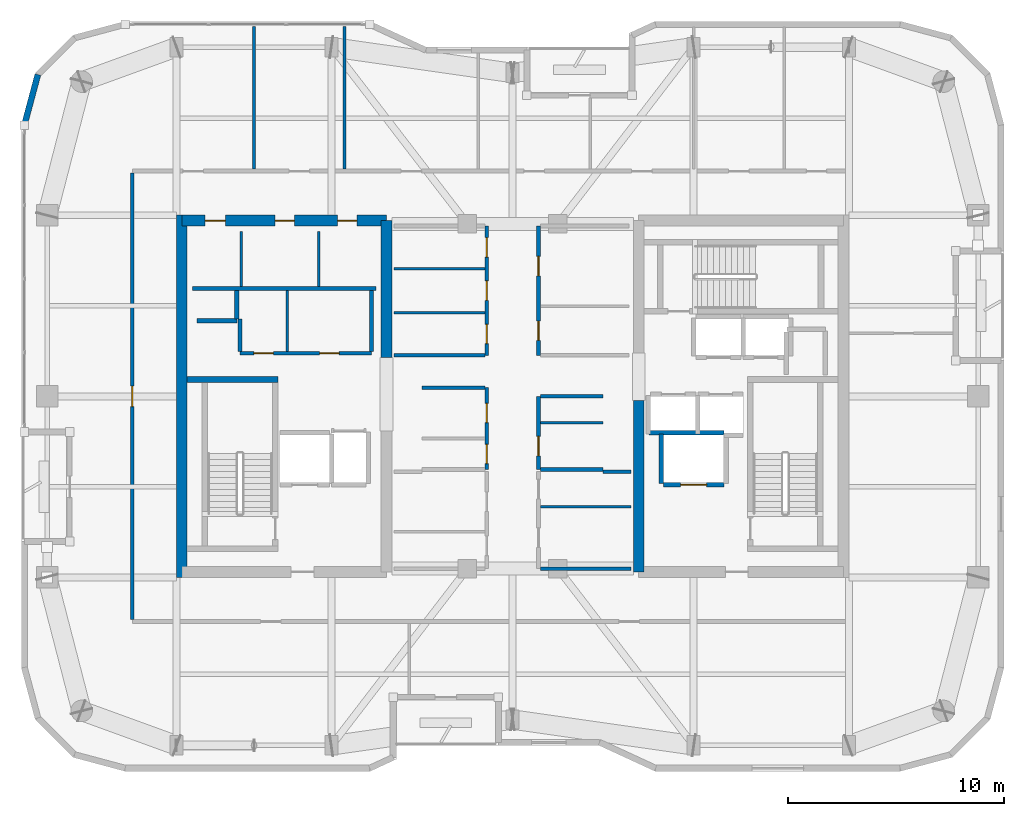
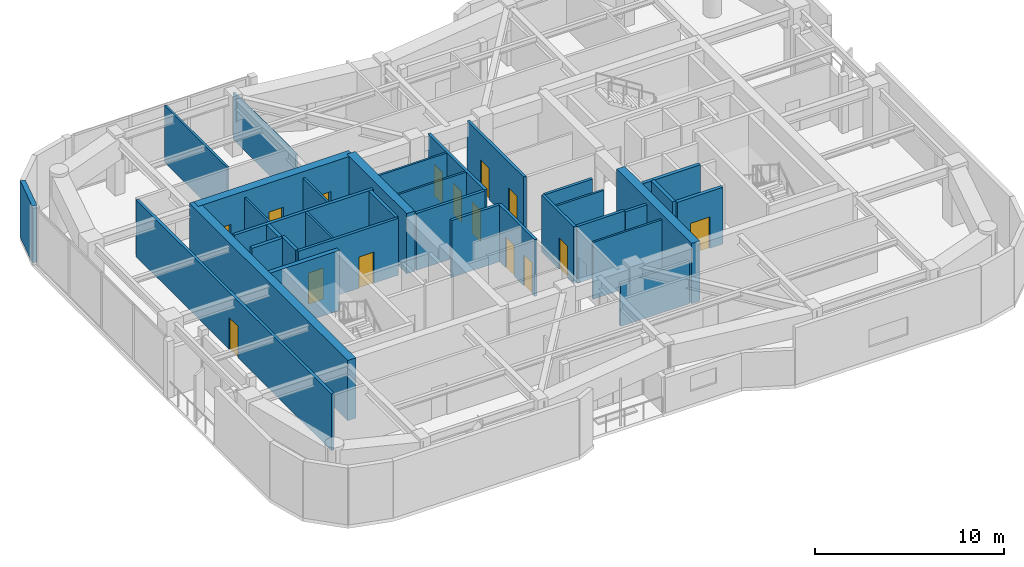
# One storey, part 11 of 15: 35 walls, 15 doors, 15 openings.
"""IFC4 building model written with IfcOpenShell, lengths in metres."""

from ifc_helpers import new_model, si_unit, direction, frame, frame_2d, origin, place, context, subcontext, project, spatial, rectangle, extrude, material, layer, layer_set, type_object, element, fill, save


model = new_model("IFC4")

# Units and contexts
model_context = context("Model", 3, precision=1e-05, world=origin(), true_north=direction((0.0, 1.0)))
body_context = subcontext(model_context, "Body", "Model", "MODEL_VIEW")
ifc_project = project(units=[si_unit("LENGTHUNIT", "METRE"), si_unit("AREAUNIT", "SQUARE_METRE"), si_unit("VOLUMEUNIT", "CUBIC_METRE"), si_unit("PLANEANGLEUNIT", "RADIAN"), si_unit("MASSUNIT", "GRAM", prefix="KILO")], contexts=[model_context])

# Site, building, storey
site_placement = place(None, origin())
site = spatial("IfcSite", under=ifc_project, at=site_placement, CompositionType="ELEMENT")
building_placement = place(site_placement, origin())
building = spatial("IfcBuilding", under=site, at=building_placement, Name="Kiyonajd Concourse Tower", CompositionType="ELEMENT")
storey_placement = place(building_placement, frame((0.0, 0.0, 270.60009765625)))
storey = spatial("IfcBuildingStorey", under=building, at=storey_placement, Name="L68", CompositionType="ELEMENT", Elevation=270.60009765625)

# Walls
ifc_material_1 = material(Name="Concrete C60/75", Category="concrete")
ifc_layer_1 = layer(ifc_material_1, 0.5)
ifc_layer_set_1 = layer_set([ifc_layer_1], Name="Concrete C60/75")
wall_type_1 = type_object("IfcWallType", Name="WL-CORE-500", PredefinedType="SHEAR", material=ifc_layer_set_1)
wall_1_placement = place(storey_placement, frame((32.64990234375, 27.60009765625, 0.0), z_axis=(0.0, 0.0, 1.0), x_axis=(0.0, 1.0, 0.0)))
element("IfcWall", 1, at=wall_1_placement, inside=storey, type_object=wall_type_1, Name="L68 West Core Outer Shear Wall", PredefinedType="SHEAR", context=body_context, shape_type="SweptSolid", body=[
    extrude(rectangle(XDim=16.7998046875, YDim=0.5, at=frame_2d((8.39990234375, 0.0))), origin(), (0.0, 0.0, 1.0), 3.89990234375),
])
wall_2_placement = place(storey_placement, frame((42.14990234375, 37.800048828125, 0.0), z_axis=(0.0, 0.0, 1.0), x_axis=(0.0, 1.0, 0.0)))
element("IfcWall", 2, at=wall_2_placement, inside=storey, type_object=wall_type_1, Name="L68 West Core Inner North Shear Wall", PredefinedType="SHEAR", context=body_context, shape_type="SweptSolid", body=[
    extrude(rectangle(XDim=6.349853515625, YDim=0.5, at=frame_2d((3.1748046875, 0.0))), origin(), (0.0, 0.0, 1.0), 3.89990234375),
])

# Wall, openings, doors
wall_3_placement = place(storey_placement, frame((32.64990234375, 44.14990234375, 0.0), z_axis=(0.0, 0.0, 1.0), x_axis=(1.0, 0.0, 0.0)))
wall_3 = element("IfcWall", 3, at=wall_3_placement, inside=storey, type_object=wall_type_1, Name="L68 West Core North Shear Wall", PredefinedType="SHEAR", context=body_context, shape_type="SweptSolid", body=[
    extrude(rectangle(XDim=9.5, YDim=0.5, at=frame_2d((4.75, 0.0))), origin(), (0.0, 0.0, 1.0), 3.89990234375),
])
opening_1_placement = place(wall_3_placement, frame((1.074951171875, 0.0, 0.0)))
opening_1 = element("IfcOpeningElement", 4, at=opening_1_placement, cuts=wall_3, Name="Opening DI1", PredefinedType="OPENING", context=body_context, shape_type="SweptSolid", body=[
    extrude(rectangle(XDim=0.949951171875, YDim=2.0400390625, at=frame_2d((0.47509765625, 1.02001953125))), frame((0.0, 0.260009765625, 0.0), z_axis=(0.0, -1.0, 0.0), x_axis=(1.0, 0.0, 0.0)), (0.0, 0.0, 1.0), 0.52001953125),
])
opening_2_placement = place(wall_3_placement, frame((4.324951171875, 0.0, 0.0)))
opening_2 = element("IfcOpeningElement", 5, at=opening_2_placement, cuts=wall_3, Name="Opening DI2", PredefinedType="OPENING", context=body_context, shape_type="SweptSolid", body=[
    extrude(rectangle(XDim=0.89990234375, YDim=2.02001953125, at=frame_2d((0.449951171875, 1.010009765625))), frame((0.0, 0.260009765625, 0.0), z_axis=(0.0, -1.0, 0.0), x_axis=(1.0, 0.0, 0.0)), (0.0, 0.0, 1.0), 0.52001953125),
])
opening_3_placement = place(wall_3_placement, frame((7.22509765625, 0.0, 0.0)))
opening_3 = element("IfcOpeningElement", 6, at=opening_3_placement, cuts=wall_3, Name="Opening DI2", PredefinedType="OPENING", context=body_context, shape_type="SweptSolid", body=[
    extrude(rectangle(XDim=0.89990234375, YDim=2.02001953125, at=frame_2d((0.449951171875, 1.010009765625))), frame((0.0, 0.260009765625, 0.0), z_axis=(0.0, -1.0, 0.0), x_axis=(1.0, 0.0, 0.0)), (0.0, 0.0, 1.0), 0.52001953125),
])
ifc_material_2 = material(Name="Natural Oak Acoustic Timber Veneer", Category="wood")
door_type_1 = type_object("IfcDoorType", Name="DR-INT-900", OperationType="NOTDEFINED", PredefinedType="DOOR", material=ifc_material_2)
door_1_placement = place(opening_2_placement, origin())
door_1 = element("IfcDoor", 7, at=door_1_placement, inside=storey, type_object=door_type_1, Name="L68 Male Restroom Door", OperationType="SINGLE_SWING_RIGHT", OverallHeight=2.02001953125, OverallWidth=0.89990234375, PredefinedType="DOOR", context=body_context, shape_type="SweptSolid", body=[
    extrude(rectangle(XDim=0.89990234375, YDim=2.02001953125, at=frame_2d((0.449951171875, 1.010009765625))), frame((0.0, 0.02490234375, 0.0), z_axis=(0.0, -1.0, 0.0), x_axis=(1.0, 0.0, 0.0)), (0.0, 0.0, 1.0), 0.050048828125),
])
fill(opening_2, door_1)
door_2_placement = place(opening_3_placement, origin())
door_2 = element("IfcDoor", 8, at=door_2_placement, inside=storey, type_object=door_type_1, Name="L68 Female Restroom Door", OperationType="SINGLE_SWING_LEFT", OverallHeight=2.02001953125, OverallWidth=0.89990234375, PredefinedType="DOOR", context=body_context, shape_type="SweptSolid", body=[
    extrude(rectangle(XDim=0.89990234375, YDim=2.02001953125, at=frame_2d((0.449951171875, 1.010009765625))), frame((0.0, 0.02490234375, 0.0), z_axis=(0.0, -1.0, 0.0), x_axis=(1.0, 0.0, 0.0)), (0.0, 0.0, 1.0), 0.050048828125),
])
fill(opening_3, door_2)
door_type_2 = type_object("IfcDoorType", Name="DR-INT-950", OperationType="NOTDEFINED", PredefinedType="DOOR", material=ifc_material_2)
door_3_placement = place(opening_1_placement, origin())
door_3 = element("IfcDoor", 9, at=door_3_placement, inside=storey, type_object=door_type_2, Name="L68 Single User Accessible WC Door", OperationType="SINGLE_SWING_LEFT", OverallHeight=2.0400390625, OverallWidth=0.949951171875, PredefinedType="DOOR", context=body_context, shape_type="SweptSolid", body=[
    extrude(rectangle(XDim=0.949951171875, YDim=2.0400390625, at=frame_2d((0.47509765625, 1.02001953125))), frame((0.0, 0.02490234375, 0.0), z_axis=(0.0, -1.0, 0.0), x_axis=(1.0, 0.0, 0.0)), (0.0, 0.0, 1.0), 0.050048828125),
])
fill(opening_1, door_3)

# Walls
wall_4_placement = place(storey_placement, frame((53.85009765625, 27.85009765625, 0.0), z_axis=(0.0, 0.0, 1.0), x_axis=(0.0, 1.0, 0.0)))
element("IfcWall", 10, at=wall_4_placement, inside=storey, type_object=wall_type_1, Name="L68 East Core Inner South Shear Wall", PredefinedType="SHEAR", context=body_context, shape_type="SweptSolid", body=[
    extrude(rectangle(XDim=7.949951171875, YDim=0.5, at=frame_2d((3.97509765625, 0.0))), origin(), (0.0, 0.0, 1.0), 3.89990234375),
])
ifc_material_3 = material(Name="Precast concrete C50/60", Category="concrete")
ifc_layer_2 = layer(ifc_material_3, 0.280029296875)
ifc_layer_set_2 = layer_set([ifc_layer_2], Name="Precast concrete C50/60")
wall_type_2 = type_object("IfcWallType", Name="WL-EXT-280", PredefinedType="SOLIDWALL", material=ifc_layer_set_2)
wall_5_placement = place(storey_placement, frame((25.340087890625, 48.58154296875, 0.0), z_axis=(0.0, 0.0, 1.0), x_axis=(0.258751159445, 0.965944013639, 0.0)))
element("IfcWall", 11, at=wall_5_placement, inside=storey, type_object=wall_type_2, Name="L68 Exterior Concrete Frame Wall 06", PredefinedType="SOLIDWALL", context=body_context, shape_type="SweptSolid", body=[
    extrude(rectangle(XDim=2.4287109375, YDim=0.280029296875, at=frame_2d((1.21435546875, 0.0))), origin(), (0.0, 0.0, 1.0), 3.679931640625),
])
ifc_material_4 = material(Name="Gypsum Board on Cold-Formed Steel Stud", Category="steel")
ifc_layer_3 = layer(ifc_material_4, 0.125)
ifc_layer_set_3 = layer_set([ifc_layer_3], Name="Gypsum Board on Cold-Formed Steel Stud")
wall_type_3 = type_object("IfcWallType", Name="WL-PART-125", PredefinedType="PARTITIONING", material=ifc_layer_set_3)
for number, where, z_axis, x_axis, name in (
    (12, (35.39990234375, 41.094970703125, 0.0), (0.0, 0.0, 1.0), (0.0, 1.0, 0.0), "L68 Interior Partition Wall"),
    (13, (39.0, 41.094970703125, 0.0), (0.0, 0.0, 1.0), (0.0, 1.0, 0.0), "L68 Interior Partition Wall"),
):
    element("IfcWall", number, at=place(storey_placement, frame(where, z_axis=z_axis, x_axis=x_axis)), inside=storey, type_object=wall_type_3, Name=name, PredefinedType="PARTITIONING", context=body_context, shape_type="SweptSolid", body=[
        extrude(rectangle(XDim=2.554931640625, YDim=0.125, at=frame_2d((1.27734375, 0.0))), origin(), (0.0, 0.0, 1.0), 3.679931640625),
    ])
wall_6_placement = place(storey_placement, frame((37.5458984375, 38.0869140625, 0.0), z_axis=(0.0, 0.0, 1.0), x_axis=(0.0, 1.0, 0.0)))
element("IfcWall", 14, at=wall_6_placement, inside=storey, type_object=wall_type_3, Name="L68 Interior Partition Wall", PredefinedType="PARTITIONING", context=body_context, shape_type="SweptSolid", body=[
    extrude(rectangle(XDim=2.81298828125, YDim=0.125, at=frame_2d((1.406494140625, 0.0))), origin(), (0.0, 0.0, 1.0), 3.679931640625),
])
wall_7_placement = place(storey_placement, frame((49.287109375, 34.77587890625, 0.0), z_axis=(0.0, 0.0, 1.0), x_axis=(1.0, 0.0, 0.0)))
element("IfcWall", 15, at=wall_7_placement, inside=storey, type_object=wall_type_3, Name="L68 Interior Partition Wall", PredefinedType="PARTITIONING", context=body_context, shape_type="SweptSolid", body=[
    extrude(rectangle(XDim=2.912841796875, YDim=0.125, at=frame_2d((1.45654296875, 0.0))), origin(), (0.0, 0.0, 1.0), 3.679931640625),
])
for number, where, z_axis, x_axis, name in (
    (16, (49.287109375, 30.8798828125, 0.0), (0.0, 0.0, 1.0), (1.0, 0.0, 0.0), "L68 Interior Partition Wall"),
    (17, (42.5, 39.8798828125, 0.0), (0.0, 0.0, 1.0), (1.0, 0.0, 0.0), "L68 Interior Partition Wall"),
    (18, (42.5, 41.919921875, 0.0), (0.0, 0.0, 1.0), (1.0, 0.0, 0.0), "L68 Interior Partition Wall"),
):
    element("IfcWall", number, at=place(storey_placement, frame(where, z_axis=z_axis, x_axis=x_axis)), inside=storey, type_object=wall_type_3, Name=name, PredefinedType="PARTITIONING", context=body_context, shape_type="SweptSolid", body=[
        extrude(rectangle(XDim=4.212890625, YDim=0.125, at=frame_2d((2.1064453125, 0.0))), origin(), (0.0, 0.0, 1.0), 3.679931640625),
    ])
wall_8_placement = place(storey_placement, frame((36.0, 46.537109375, 0.0), z_axis=(0.0, 0.0, 1.0), x_axis=(0.0, 1.0, 0.0)))
element("IfcWall", 19, at=wall_8_placement, inside=storey, type_object=wall_type_3, Name="L68 Interior Partition Wall", PredefinedType="PARTITIONING", context=body_context, shape_type="SweptSolid", body=[
    extrude(rectangle(XDim=6.6279296875, YDim=0.125, at=frame_2d((3.31396484375, 0.0))), origin(), (0.0, 0.0, 1.0), 3.679931640625),
])
wall_9_placement = place(storey_placement, frame((40.199951171875, 46.537109375, 0.0), z_axis=(0.0, 0.0, 1.0), x_axis=(0.0, 1.0, 0.0)))
element("IfcWall", 20, at=wall_9_placement, inside=storey, type_object=wall_type_3, Name="L68 Interior Partition Wall", PredefinedType="PARTITIONING", context=body_context, shape_type="SweptSolid", body=[
    extrude(rectangle(XDim=6.6279296875, YDim=0.125, at=frame_2d((3.31396484375, 0.0))), origin(), (0.0, 0.0, 1.0), 3.04296875),
])
ifc_layer_4 = layer(ifc_material_4, 0.18994140625)
ifc_layer_set_4 = layer_set([ifc_layer_4], Name="Gypsum Board on Cold-Formed Steel Stud")
wall_type_4 = type_object("IfcWallType", Name="WL-PLMB-190", PredefinedType="PLUMBINGWALL", material=ifc_layer_set_4)
wall_10_placement = place(storey_placement, frame((33.14990234375, 41.0, 0.0), z_axis=(0.0, 0.0, 1.0), x_axis=(1.0, 0.0, 0.0)))
element("IfcWall", 21, at=wall_10_placement, inside=storey, type_object=wall_type_4, Name="L68 Interior Partition Wall", PredefinedType="PLUMBINGWALL", context=body_context, shape_type="SweptSolid", body=[
    extrude(rectangle(XDim=8.5, YDim=0.18994140625, at=frame_2d((4.25, 0.0))), origin(), (0.0, 0.0, 1.0), 3.679931640625),
])
ifc_layer_5 = layer(ifc_material_4, 0.2099609375)
ifc_layer_set_5 = layer_set([ifc_layer_5], Name="Gypsum Board on Cold-Formed Steel Stud")
wall_type_5 = type_object("IfcWallType", Name="WL-SHAFT-210", PredefinedType="PARTITIONING", material=ifc_layer_set_5)
wall_11_placement = place(storey_placement, frame((33.360107421875, 39.5, 0.0), z_axis=(0.0, 0.0, 1.0), x_axis=(1.0, 0.0, 0.0)))
element("IfcWall", 22, at=wall_11_placement, inside=storey, type_object=wall_type_5, Name="L68 Shaft Enclosure Wall", PredefinedType="PARTITIONING", context=body_context, shape_type="SweptSolid", body=[
    extrude(rectangle(XDim=1.85986328125, YDim=0.2099609375, at=frame_2d((0.929931640625, 0.0))), origin(), (0.0, 0.0, 1.0), 3.679931640625),
])
wall_12_placement = place(storey_placement, frame((35.199951171875, 39.580078125, 0.0), z_axis=(0.0, 0.0, 1.0), x_axis=(0.0, 1.0, 0.0)))
element("IfcWall", 23, at=wall_12_placement, inside=storey, type_object=wall_type_5, Name="L68 Shaft Enclosure Wall", PredefinedType="PARTITIONING", context=body_context, shape_type="SweptSolid", body=[
    extrude(rectangle(XDim=1.31982421875, YDim=0.2099609375, at=frame_2d((0.659912109375, 0.0))), origin(), (0.0, 0.0, 1.0), 3.679931640625),
])

# Wall, opening, door
wall_13_placement = place(storey_placement, frame((55.0, 31.89990234375, 0.0), z_axis=(0.0, 0.0, 1.0), x_axis=(1.0, 0.0, 0.0)))
wall_13 = element("IfcWall", 24, at=wall_13_placement, inside=storey, type_object=wall_type_5, Name="L68 Shaft Enclosure Wall", PredefinedType="PARTITIONING", context=body_context, shape_type="SweptSolid", body=[
    extrude(rectangle(XDim=2.800048828125, YDim=0.2099609375, at=frame_2d((1.39990234375, 0.0))), origin(), (0.0, 0.0, 1.0), 3.679931640625),
])
opening_4_placement = place(wall_13_placement, frame((0.800048828125, 0.0, 0.0)))
opening_4 = element("IfcOpeningElement", 25, at=opening_4_placement, cuts=wall_13, Name="Opening LD2", PredefinedType="OPENING", context=body_context, shape_type="SweptSolid", body=[
    extrude(rectangle(XDim=1.199951171875, YDim=2.0400390625, at=frame_2d((0.60009765625, 1.02001953125))), frame((0.0, 0.114990234375, 0.0), z_axis=(0.0, -1.0, 0.0), x_axis=(1.0, 0.0, 0.0)), (0.0, 0.0, 1.0), 0.22998046875),
])
ifc_material_5 = material(Name="Brushed Stainless Steel Cab Assembly", Category="steel")
door_type_3 = type_object("IfcDoorType", Name="DR-LD-1200", OperationType="DOUBLE_DOOR_SLIDING", PredefinedType="DOOR", material=ifc_material_5)
door_4_placement = place(opening_4_placement, origin())
door_4 = element("IfcDoor", 26, at=door_4_placement, inside=storey, type_object=door_type_3, Name="L68 Lift FFL2 Sliding Landing Door", OperationType="DOUBLE_DOOR_SLIDING", OverallHeight=2.0400390625, OverallWidth=1.199951171875, PredefinedType="DOOR", context=body_context, shape_type="SweptSolid", body=[
    extrude(rectangle(XDim=1.199951171875, YDim=2.0400390625, at=frame_2d((0.60009765625, 1.02001953125))), frame((0.0, 0.02490234375, 0.0), z_axis=(0.0, -1.0, 0.0), x_axis=(1.0, 0.0, 0.0)), (0.0, 0.0, 1.0), 0.050048828125),
])
fill(opening_4, door_4)

# Walls
wall_14_placement = place(storey_placement, frame((54.320068359375, 34.300048828125, 0.0), z_axis=(0.0, 0.0, 1.0), x_axis=(1.0, 0.0, 0.0)))
element("IfcWall", 27, at=wall_14_placement, inside=storey, type_object=wall_type_5, Name="L68 Shaft Enclosure Wall", PredefinedType="PARTITIONING", context=body_context, shape_type="SweptSolid", body=[
    extrude(rectangle(XDim=3.47998046875, YDim=0.2099609375, at=frame_2d((1.739990234375, 0.0))), origin(), (0.0, 0.0, 1.0), 3.679931640625),
])
wall_15_placement = place(storey_placement, frame((54.89990234375, 31.9599609375, 0.0), z_axis=(0.0, 0.0, 1.0), x_axis=(0.0, 1.0, 0.0)))
element("IfcWall", 28, at=wall_15_placement, inside=storey, type_object=wall_type_5, Name="L68 Shaft Enclosure Wall", PredefinedType="PARTITIONING", context=body_context, shape_type="SweptSolid", body=[
    extrude(rectangle(XDim=2.280029296875, YDim=0.2099609375, at=frame_2d((1.14013671875, 0.0))), origin(), (0.0, 0.0, 1.0), 3.679931640625),
])

# Wall, openings, doors
ifc_layer_6 = layer(ifc_material_4, 0.169921875)
ifc_layer_set_6 = layer_set([ifc_layer_6], Name="Gypsum Board on Cold-Formed Steel Stud")
wall_type_6 = type_object("IfcWallType", Name="WL-SMK-170", PredefinedType="PARTITIONING", material=ifc_layer_set_6)
wall_16_placement = place(storey_placement, frame((35.35009765625, 38.0, 0.0), z_axis=(0.0, 0.0, 1.0), x_axis=(1.0, 0.0, 0.0)))
wall_16 = element("IfcWall", 29, at=wall_16_placement, inside=storey, type_object=wall_type_6, Name="L68 Interior Partition Wall", PredefinedType="PARTITIONING", context=body_context, shape_type="SweptSolid", body=[
    extrude(rectangle(XDim=6.099853515625, YDim=0.169921875, at=frame_2d((3.0498046875, 0.0))), origin(), (0.0, 0.0, 1.0), 3.679931640625),
])
opening_5_placement = place(wall_16_placement, frame((0.64794921875, 0.0, 0.0)))
opening_5 = element("IfcOpeningElement", 30, at=opening_5_placement, cuts=wall_16, Name="Opening DI2", PredefinedType="OPENING", context=body_context, shape_type="SweptSolid", body=[
    extrude(rectangle(XDim=0.89990234375, YDim=2.02001953125, at=frame_2d((0.449951171875, 1.010009765625))), frame((0.0, 0.094970703125, 0.0), z_axis=(0.0, -1.0, 0.0), x_axis=(1.0, 0.0, 0.0)), (0.0, 0.0, 1.0), 0.18994140625),
])
opening_6_placement = place(wall_16_placement, frame((3.697998046875, 0.0, 0.0)))
opening_6 = element("IfcOpeningElement", 31, at=opening_6_placement, cuts=wall_16, Name="Opening DI2", PredefinedType="OPENING", context=body_context, shape_type="SweptSolid", body=[
    extrude(rectangle(XDim=0.89990234375, YDim=2.02001953125, at=frame_2d((0.449951171875, 1.010009765625))), frame((0.0, 0.094970703125, 0.0), z_axis=(0.0, -1.0, 0.0), x_axis=(1.0, 0.0, 0.0)), (0.0, 0.0, 1.0), 0.18994140625),
])
door_5_placement = place(opening_5_placement, origin())
door_5 = element("IfcDoor", 32, at=door_5_placement, inside=storey, type_object=door_type_1, Name="L68 Interior Door", OperationType="SINGLE_SWING_LEFT", OverallHeight=2.02001953125, OverallWidth=0.89990234375, PredefinedType="DOOR", context=body_context, shape_type="SweptSolid", body=[
    extrude(rectangle(XDim=0.89990234375, YDim=2.02001953125, at=frame_2d((0.449951171875, 1.010009765625))), frame((0.0, 0.02490234375, 0.0), z_axis=(0.0, -1.0, 0.0), x_axis=(1.0, 0.0, 0.0)), (0.0, 0.0, 1.0), 0.050048828125),
])
fill(opening_5, door_5)
door_6_placement = place(opening_6_placement, origin())
door_6 = element("IfcDoor", 33, at=door_6_placement, inside=storey, type_object=door_type_1, Name="L68 Interior Door", OperationType="SINGLE_SWING_RIGHT", OverallHeight=2.02001953125, OverallWidth=0.89990234375, PredefinedType="DOOR", context=body_context, shape_type="SweptSolid", body=[
    extrude(rectangle(XDim=0.89990234375, YDim=2.02001953125, at=frame_2d((0.449951171875, 1.010009765625))), frame((0.0, 0.02490234375, 0.0), z_axis=(0.0, -1.0, 0.0), x_axis=(1.0, 0.0, 0.0)), (0.0, 0.0, 1.0), 0.050048828125),
])
fill(opening_6, door_6)

# Walls
wall_17_placement = place(storey_placement, frame((35.35009765625, 38.0869140625, 0.0), z_axis=(0.0, 0.0, 1.0), x_axis=(0.0, 1.0, 0.0)))
element("IfcWall", 34, at=wall_17_placement, inside=storey, type_object=wall_type_6, Name="L68 Interior Partition Wall", PredefinedType="PARTITIONING", context=body_context, shape_type="SweptSolid", body=[
    extrude(rectangle(XDim=1.4931640625, YDim=0.169921875, at=frame_2d((0.74658203125, 0.0))), origin(), (0.0, 0.0, 1.0), 3.679931640625),
])
wall_18_placement = place(storey_placement, frame((41.449951171875, 38.0869140625, 0.0), z_axis=(0.0, 0.0, 1.0), x_axis=(0.0, 1.0, 0.0)))
element("IfcWall", 35, at=wall_18_placement, inside=storey, type_object=wall_type_6, Name="L68 Interior Partition Wall", PredefinedType="PARTITIONING", context=body_context, shape_type="SweptSolid", body=[
    extrude(rectangle(XDim=2.81298828125, YDim=0.169921875, at=frame_2d((1.406494140625, 0.0))), origin(), (0.0, 0.0, 1.0), 3.679931640625),
])

# Wall, openings, doors
wall_19_placement = place(storey_placement, frame((46.800048828125, 32.60009765625, 0.0), z_axis=(0.0, 0.0, 1.0), x_axis=(0.0, 1.0, 0.0)))
wall_19 = element("IfcWall", 36, at=wall_19_placement, inside=storey, type_object=wall_type_6, Name="L68 Interior Partition Wall", PredefinedType="PARTITIONING", context=body_context, shape_type="SweptSolid", body=[
    extrude(rectangle(XDim=3.7998046875, YDim=0.169921875, at=frame_2d((1.89990234375, 0.0))), origin(), (0.0, 0.0, 1.0), 3.679931640625),
])
opening_7_placement = place(wall_19_placement, frame((0.27197265625, 0.0, 0.0)))
opening_7 = element("IfcOpeningElement", 37, at=opening_7_placement, cuts=wall_19, Name="Opening DI2", PredefinedType="OPENING", context=body_context, shape_type="SweptSolid", body=[
    extrude(rectangle(XDim=0.89990234375, YDim=2.02001953125, at=frame_2d((0.449951171875, 1.010009765625))), frame((0.0, 0.094970703125, 0.0), z_axis=(0.0, -1.0, 0.0), x_axis=(1.0, 0.0, 0.0)), (0.0, 0.0, 1.0), 0.18994140625),
])
opening_8_placement = place(wall_19_placement, frame((2.172119140625, 0.0, 0.0)))
opening_8 = element("IfcOpeningElement", 38, at=opening_8_placement, cuts=wall_19, Name="Opening DI2", PredefinedType="OPENING", context=body_context, shape_type="SweptSolid", body=[
    extrude(rectangle(XDim=0.89990234375, YDim=2.02001953125, at=frame_2d((0.449951171875, 1.010009765625))), frame((0.0, 0.094970703125, 0.0), z_axis=(0.0, -1.0, 0.0), x_axis=(1.0, 0.0, 0.0)), (0.0, 0.0, 1.0), 0.18994140625),
])
door_7_placement = place(opening_7_placement, origin())
door_7 = element("IfcDoor", 39, at=door_7_placement, inside=storey, type_object=door_type_1, Name="L68 Interior Door", OperationType="SINGLE_SWING_LEFT", OverallHeight=2.02001953125, OverallWidth=0.89990234375, PredefinedType="DOOR", context=body_context, shape_type="SweptSolid", body=[
    extrude(rectangle(XDim=0.89990234375, YDim=2.02001953125, at=frame_2d((0.449951171875, 1.010009765625))), frame((0.0, 0.02490234375, 0.0), z_axis=(0.0, -1.0, 0.0), x_axis=(1.0, 0.0, 0.0)), (0.0, 0.0, 1.0), 0.050048828125),
])
fill(opening_7, door_7)
door_8_placement = place(opening_8_placement, origin())
door_8 = element("IfcDoor", 40, at=door_8_placement, inside=storey, type_object=door_type_1, Name="L68 Interior Door", OperationType="SINGLE_SWING_RIGHT", OverallHeight=2.02001953125, OverallWidth=0.89990234375, PredefinedType="DOOR", context=body_context, shape_type="SweptSolid", body=[
    extrude(rectangle(XDim=0.89990234375, YDim=2.02001953125, at=frame_2d((0.449951171875, 1.010009765625))), frame((0.0, 0.02490234375, 0.0), z_axis=(0.0, -1.0, 0.0), x_axis=(1.0, 0.0, 0.0)), (0.0, 0.0, 1.0), 0.050048828125),
])
fill(opening_8, door_8)

# Wall
wall_20_placement = place(storey_placement, frame((43.800048828125, 36.39990234375, 0.0), z_axis=(0.0, 0.0, 1.0), x_axis=(1.0, 0.0, 0.0)))
element("IfcWall", 41, at=wall_20_placement, inside=storey, type_object=wall_type_6, Name="L68 Interior Partition Wall", PredefinedType="PARTITIONING", context=body_context, shape_type="SweptSolid", body=[
    extrude(rectangle(XDim=2.912841796875, YDim=0.169921875, at=frame_2d((1.45654296875, 0.0))), origin(), (0.0, 0.0, 1.0), 3.679931640625),
])

# Wall, opening, door
wall_21_placement = place(storey_placement, frame((49.199951171875, 32.60009765625, 0.0), z_axis=(0.0, 0.0, 1.0), x_axis=(0.0, 1.0, 0.0)))
wall_21 = element("IfcWall", 42, at=wall_21_placement, inside=storey, type_object=wall_type_6, Name="L68 Interior Partition Wall", PredefinedType="PARTITIONING", context=body_context, shape_type="SweptSolid", body=[
    extrude(rectangle(XDim=3.39990234375, YDim=0.169921875, at=frame_2d((1.699951171875, 0.0))), origin(), (0.0, 0.0, 1.0), 3.679931640625),
])
opening_9_placement = place(wall_21_placement, frame((0.637939453125, 0.0, 0.0)))
opening_9 = element("IfcOpeningElement", 43, at=opening_9_placement, cuts=wall_21, Name="Opening DF4", PredefinedType="OPENING", context=body_context, shape_type="SweptSolid", body=[
    extrude(rectangle(XDim=0.89990234375, YDim=2.02001953125, at=frame_2d((0.449951171875, 1.010009765625))), frame((0.0, 0.094970703125, 0.0), z_axis=(0.0, -1.0, 0.0), x_axis=(1.0, 0.0, 0.0)), (0.0, 0.0, 1.0), 0.18994140625),
])
door_type_4 = type_object("IfcDoorType", Name="DR-FD60-900", OperationType="NOTDEFINED", PredefinedType="DOOR", material=ifc_material_5)
door_9_placement = place(opening_9_placement, origin())
door_9 = element("IfcDoor", 44, at=door_9_placement, inside=storey, type_object=door_type_4, Name="L68 Interior Door", OperationType="SINGLE_SWING_LEFT", OverallHeight=2.02001953125, OverallWidth=0.89990234375, PredefinedType="DOOR", context=body_context, shape_type="SweptSolid", body=[
    extrude(rectangle(XDim=0.89990234375, YDim=2.02001953125, at=frame_2d((0.449951171875, 1.010009765625))), frame((0.0, 0.02490234375, 0.0), z_axis=(0.0, -1.0, 0.0), x_axis=(1.0, 0.0, 0.0)), (0.0, 0.0, 1.0), 0.050048828125),
])
fill(opening_9, door_9)

# Walls
for number, where, z_axis, x_axis, name in (
    (45, (49.287109375, 32.60009765625, 0.0), (0.0, 0.0, 1.0), (1.0, 0.0, 0.0), "L68 Interior Partition Wall"),
    (46, (49.287109375, 36.0, 0.0), (0.0, 0.0, 1.0), (1.0, 0.0, 0.0), "L68 Interior Partition Wall"),
):
    element("IfcWall", number, at=place(storey_placement, frame(where, z_axis=z_axis, x_axis=x_axis)), inside=storey, type_object=wall_type_6, Name=name, PredefinedType="PARTITIONING", context=body_context, shape_type="SweptSolid", body=[
        extrude(rectangle(XDim=2.912841796875, YDim=0.169921875, at=frame_2d((1.45654296875, 0.0))), origin(), (0.0, 0.0, 1.0), 3.679931640625),
    ])
wall_22_placement = place(storey_placement, frame((49.287109375, 28.0, 0.0), z_axis=(0.0, 0.0, 1.0), x_axis=(1.0, 0.0, 0.0)))
element("IfcWall", 47, at=wall_22_placement, inside=storey, type_object=wall_type_6, Name="L68 Interior Partition Wall", PredefinedType="PARTITIONING", context=body_context, shape_type="SweptSolid", body=[
    extrude(rectangle(XDim=4.212890625, YDim=0.169921875, at=frame_2d((2.1064453125, 0.0))), origin(), (0.0, 0.0, 1.0), 2.764892578125),
])
wall_23_placement = place(storey_placement, frame((52.199951171875, 32.5, 0.0), z_axis=(0.0, 0.0, 1.0), x_axis=(1.0, 0.0, 0.0)))
element("IfcWall", 48, at=wall_23_placement, inside=storey, type_object=wall_type_6, Name="L68 Interior Partition Wall", PredefinedType="PARTITIONING", context=body_context, shape_type="SweptSolid", body=[
    extrude(rectangle(XDim=1.300048828125, YDim=0.169921875, at=frame_2d((0.64990234375, 0.0))), origin(), (0.0, 0.0, 1.0), 3.679931640625),
])

# Wall, openings, doors
wall_24_placement = place(storey_placement, frame((46.800048828125, 37.89990234375, 0.0), z_axis=(0.0, 0.0, 1.0), x_axis=(0.0, 1.0, 0.0)))
wall_24 = element("IfcWall", 49, at=wall_24_placement, inside=storey, type_object=wall_type_6, Name="L68 Interior Partition Wall", PredefinedType="PARTITIONING", context=body_context, shape_type="SweptSolid", body=[
    extrude(rectangle(XDim=6.0, YDim=0.169921875, at=frame_2d((3.0, 0.0))), origin(), (0.0, 0.0, 1.0), 3.679931640625),
])
opening_10_placement = place(wall_24_placement, frame((0.5400390625, 0.0, 0.0)))
opening_10 = element("IfcOpeningElement", 50, at=opening_10_placement, cuts=wall_24, Name="Opening DI2", PredefinedType="OPENING", context=body_context, shape_type="SweptSolid", body=[
    extrude(rectangle(XDim=0.89990234375, YDim=2.02001953125, at=frame_2d((0.449951171875, 1.010009765625))), frame((0.0, 0.094970703125, 0.0), z_axis=(0.0, -1.0, 0.0), x_axis=(1.0, 0.0, 0.0)), (0.0, 0.0, 1.0), 0.18994140625),
])
opening_11_placement = place(wall_24_placement, frame((2.550048828125, 0.0, 0.0)))
opening_11 = element("IfcOpeningElement", 51, at=opening_11_placement, cuts=wall_24, Name="Opening DI2", PredefinedType="OPENING", context=body_context, shape_type="SweptSolid", body=[
    extrude(rectangle(XDim=0.89990234375, YDim=2.02001953125, at=frame_2d((0.449951171875, 1.010009765625))), frame((0.0, 0.094970703125, 0.0), z_axis=(0.0, -1.0, 0.0), x_axis=(1.0, 0.0, 0.0)), (0.0, 0.0, 1.0), 0.18994140625),
])
opening_12_placement = place(wall_24_placement, frame((4.56005859375, 0.0, 0.0)))
opening_12 = element("IfcOpeningElement", 52, at=opening_12_placement, cuts=wall_24, Name="Opening DI2", PredefinedType="OPENING", context=body_context, shape_type="SweptSolid", body=[
    extrude(rectangle(XDim=0.89990234375, YDim=2.02001953125, at=frame_2d((0.449951171875, 1.010009765625))), frame((0.0, 0.094970703125, 0.0), z_axis=(0.0, -1.0, 0.0), x_axis=(1.0, 0.0, 0.0)), (0.0, 0.0, 1.0), 0.18994140625),
])
door_10_placement = place(opening_10_placement, origin())
door_10 = element("IfcDoor", 53, at=door_10_placement, inside=storey, type_object=door_type_1, Name="L68 Interior Door", OperationType="SINGLE_SWING_RIGHT", OverallHeight=2.02001953125, OverallWidth=0.89990234375, PredefinedType="DOOR", context=body_context, shape_type="SweptSolid", body=[
    extrude(rectangle(XDim=0.89990234375, YDim=2.02001953125, at=frame_2d((0.449951171875, 1.010009765625))), frame((0.0, 0.02490234375, 0.0), z_axis=(0.0, -1.0, 0.0), x_axis=(1.0, 0.0, 0.0)), (0.0, 0.0, 1.0), 0.050048828125),
])
fill(opening_10, door_10)
door_11_placement = place(opening_11_placement, origin())
door_11 = element("IfcDoor", 54, at=door_11_placement, inside=storey, type_object=door_type_1, Name="L68 Interior Door", OperationType="SINGLE_SWING_LEFT", OverallHeight=2.02001953125, OverallWidth=0.89990234375, PredefinedType="DOOR", context=body_context, shape_type="SweptSolid", body=[
    extrude(rectangle(XDim=0.89990234375, YDim=2.02001953125, at=frame_2d((0.449951171875, 1.010009765625))), frame((0.0, 0.02490234375, 0.0), z_axis=(0.0, -1.0, 0.0), x_axis=(1.0, 0.0, 0.0)), (0.0, 0.0, 1.0), 0.050048828125),
])
fill(opening_11, door_11)
door_12_placement = place(opening_12_placement, origin())
door_12 = element("IfcDoor", 55, at=door_12_placement, inside=storey, type_object=door_type_1, Name="L68 Interior Door", OperationType="SINGLE_SWING_RIGHT", OverallHeight=2.02001953125, OverallWidth=0.89990234375, PredefinedType="DOOR", context=body_context, shape_type="SweptSolid", body=[
    extrude(rectangle(XDim=0.89990234375, YDim=2.02001953125, at=frame_2d((0.449951171875, 1.010009765625))), frame((0.0, 0.02490234375, 0.0), z_axis=(0.0, -1.0, 0.0), x_axis=(1.0, 0.0, 0.0)), (0.0, 0.0, 1.0), 0.050048828125),
])
fill(opening_12, door_12)

# Wall
wall_25_placement = place(storey_placement, frame((42.5, 37.89990234375, 0.0), z_axis=(0.0, 0.0, 1.0), x_axis=(1.0, 0.0, 0.0)))
element("IfcWall", 56, at=wall_25_placement, inside=storey, type_object=wall_type_6, Name="L68 Interior Partition Wall", PredefinedType="PARTITIONING", context=body_context, shape_type="SweptSolid", body=[
    extrude(rectangle(XDim=4.212890625, YDim=0.169921875, at=frame_2d((2.1064453125, 0.0))), origin(), (0.0, 0.0, 1.0), 3.679931640625),
])

# Wall, openings, doors
wall_26_placement = place(storey_placement, frame((49.199951171875, 37.89990234375, 0.0), z_axis=(0.0, 0.0, 1.0), x_axis=(0.0, 1.0, 0.0)))
wall_26 = element("IfcWall", 57, at=wall_26_placement, inside=storey, type_object=wall_type_6, Name="L68 Interior Partition Wall", PredefinedType="PARTITIONING", context=body_context, shape_type="SweptSolid", body=[
    extrude(rectangle(XDim=6.0, YDim=0.169921875, at=frame_2d((3.0, 0.0))), origin(), (0.0, 0.0, 1.0), 3.679931640625),
])
opening_13_placement = place(wall_26_placement, frame((0.68994140625, 0.0, 0.0)))
opening_13 = element("IfcOpeningElement", 58, at=opening_13_placement, cuts=wall_26, Name="Opening DI2", PredefinedType="OPENING", context=body_context, shape_type="SweptSolid", body=[
    extrude(rectangle(XDim=0.89990234375, YDim=2.02001953125, at=frame_2d((0.449951171875, 1.010009765625))), frame((0.0, 0.094970703125, 0.0), z_axis=(0.0, -1.0, 0.0), x_axis=(1.0, 0.0, 0.0)), (0.0, 0.0, 1.0), 0.18994140625),
])
opening_14_placement = place(wall_26_placement, frame((3.68994140625, 0.0, 0.0)))
opening_14 = element("IfcOpeningElement", 59, at=opening_14_placement, cuts=wall_26, Name="Opening DI2", PredefinedType="OPENING", context=body_context, shape_type="SweptSolid", body=[
    extrude(rectangle(XDim=0.89990234375, YDim=2.02001953125, at=frame_2d((0.449951171875, 1.010009765625))), frame((0.0, 0.094970703125, 0.0), z_axis=(0.0, -1.0, 0.0), x_axis=(1.0, 0.0, 0.0)), (0.0, 0.0, 1.0), 0.18994140625),
])
door_13_placement = place(opening_13_placement, origin())
door_13 = element("IfcDoor", 60, at=door_13_placement, inside=storey, type_object=door_type_1, Name="L68 Interior Door", OperationType="SINGLE_SWING_LEFT", OverallHeight=2.02001953125, OverallWidth=0.89990234375, PredefinedType="DOOR", context=body_context, shape_type="SweptSolid", body=[
    extrude(rectangle(XDim=0.89990234375, YDim=2.02001953125, at=frame_2d((0.449951171875, 1.010009765625))), frame((0.0, 0.02490234375, 0.0), z_axis=(0.0, -1.0, 0.0), x_axis=(1.0, 0.0, 0.0)), (0.0, 0.0, 1.0), 0.050048828125),
])
fill(opening_13, door_13)
door_14_placement = place(opening_14_placement, origin())
door_14 = element("IfcDoor", 61, at=door_14_placement, inside=storey, type_object=door_type_1, Name="L68 Interior Door", OperationType="SINGLE_SWING_RIGHT", OverallHeight=2.02001953125, OverallWidth=0.89990234375, PredefinedType="DOOR", context=body_context, shape_type="SweptSolid", body=[
    extrude(rectangle(XDim=0.89990234375, YDim=2.02001953125, at=frame_2d((0.449951171875, 1.010009765625))), frame((0.0, 0.02490234375, 0.0), z_axis=(0.0, -1.0, 0.0), x_axis=(1.0, 0.0, 0.0)), (0.0, 0.0, 1.0), 0.050048828125),
])
fill(opening_14, door_14)

# Wall, opening, door
wall_27_placement = place(storey_placement, frame((30.35009765625, 25.636962890625, 0.0), z_axis=(0.0, 0.0, 1.0), x_axis=(0.0, 1.0, 0.0)))
wall_27 = element("IfcWall", 62, at=wall_27_placement, inside=storey, type_object=wall_type_6, Name="L68 Interior Partition Wall", PredefinedType="PARTITIONING", context=body_context, shape_type="SweptSolid", body=[
    extrude(rectangle(XDim=20.72607421875, YDim=0.169921875, at=frame_2d((10.363037109375, 0.0))), origin(), (0.0, 0.0, 1.0), 3.679931640625),
])
opening_15_placement = place(wall_27_placement, frame((9.887939453125, 0.0, 0.0)))
opening_15 = element("IfcOpeningElement", 63, at=opening_15_placement, cuts=wall_27, Name="Opening DI1", PredefinedType="OPENING", context=body_context, shape_type="SweptSolid", body=[
    extrude(rectangle(XDim=0.949951171875, YDim=2.0400390625, at=frame_2d((0.47509765625, 1.02001953125))), frame((0.0, 0.094970703125, 0.0), z_axis=(0.0, -1.0, 0.0), x_axis=(1.0, 0.0, 0.0)), (0.0, 0.0, 1.0), 0.18994140625),
])
door_15_placement = place(opening_15_placement, origin())
door_15 = element("IfcDoor", 64, at=door_15_placement, inside=storey, type_object=door_type_2, Name="L68 Interior Door", OperationType="SINGLE_SWING_RIGHT", OverallHeight=2.0400390625, OverallWidth=0.949951171875, PredefinedType="DOOR", context=body_context, shape_type="SweptSolid", body=[
    extrude(rectangle(XDim=0.949951171875, YDim=2.0400390625, at=frame_2d((0.47509765625, 1.02001953125))), frame((0.0, 0.02490234375, 0.0), z_axis=(0.0, -1.0, 0.0), x_axis=(1.0, 0.0, 0.0)), (0.0, 0.0, 1.0), 0.050048828125),
])
fill(opening_15, door_15)

# Wall
ifc_material_6 = material(Name="Concrete C50/60", Category="concrete")
ifc_layer_7 = layer(ifc_material_6, 0.260009765625)
ifc_layer_set_7 = layer_set([ifc_layer_7], Name="Concrete C50/60")
wall_type_7 = type_object("IfcWallType", Name="WL-STAIR-260", PredefinedType="SHEAR", material=ifc_layer_set_7)
wall_28_placement = place(storey_placement, frame((32.89990234375, 36.780029296875, 0.0), z_axis=(0.0, 0.0, 1.0), x_axis=(1.0, 0.0, 0.0)))
element("IfcWall", 65, at=wall_28_placement, inside=storey, type_object=wall_type_7, Name="L68 Stair ST1 Structural North Wall", PredefinedType="SHEAR", context=body_context, shape_type="SweptSolid", body=[
    extrude(rectangle(XDim=4.210205078125, YDim=0.260009765625, at=frame_2d((2.10498046875, 0.0))), origin(), (0.0, 0.0, 1.0), 3.89990234375),
])

save(model, "model.ifc")
